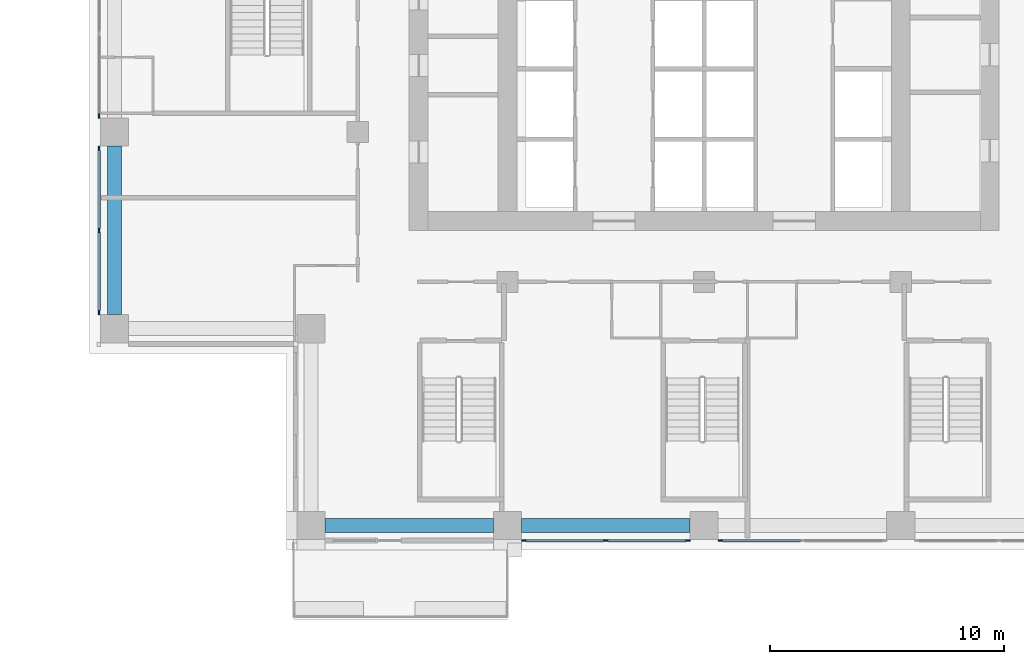
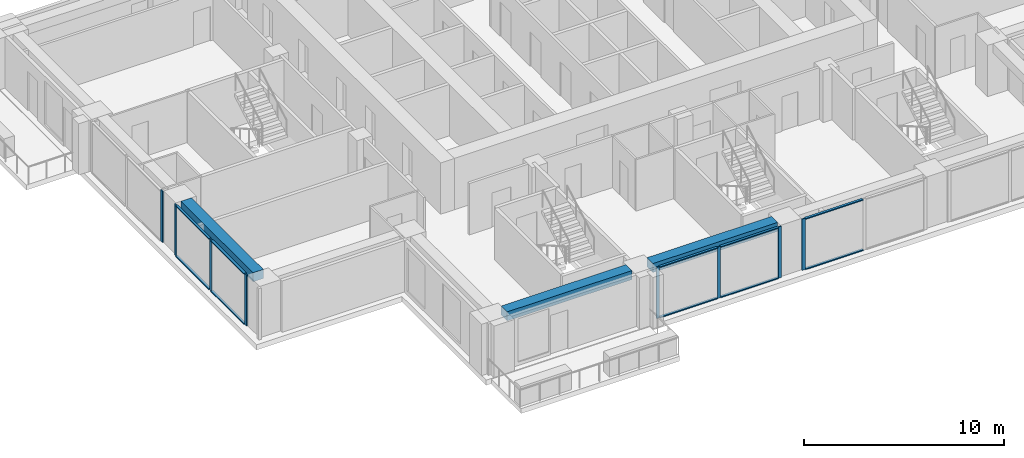
# One storey, part 2 of 17: 18 members, 3 beams, 4 elements without a shape of their own.
"""IFC4 building model written with IfcOpenShell, lengths in metres."""

from ifc_helpers import new_model, si_unit, direction, frame, origin, origin_2d, place, context, subcontext, project, spatial, rectangle, extrude, material, material_profile, profile_set, type_object, element, aggregate, save


model = new_model("IFC4")

# Units and contexts
model_context = context("Model", 3, precision=1e-05, world=origin(), true_north=direction((0.0, 1.0)))
body_context = subcontext(model_context, "Body", "Model", "MODEL_VIEW")
ifc_project = project(units=[si_unit("LENGTHUNIT", "METRE"), si_unit("AREAUNIT", "SQUARE_METRE"), si_unit("VOLUMEUNIT", "CUBIC_METRE"), si_unit("PLANEANGLEUNIT", "RADIAN"), si_unit("MASSUNIT", "GRAM", prefix="KILO")], contexts=[model_context])

# Site, building, storey
site_placement = place(None, origin())
site = spatial("IfcSite", under=ifc_project, at=site_placement, CompositionType="ELEMENT")
building_placement = place(site_placement, origin())
building = spatial("IfcBuilding", under=site, at=building_placement, Name="Vermilion Ogive Tower", CompositionType="ELEMENT")
storey_placement = place(building_placement, frame((0.0, 0.0, 87.300048828125)))
storey = spatial("IfcBuildingStorey", under=building, at=storey_placement, Name="L21", CompositionType="ELEMENT", Elevation=87.300048828125)

# Curtain wall, members
ifc_material_1 = material(Name="Low-iron laminated glazing in aluminium frame", Category="aluminium")
curtain_wall_type = type_object("IfcCurtainWallType", Name="Curtain wall CW7", PredefinedType="NOTDEFINED", material=ifc_material_1)
curtain_wall_1_placement = place(storey_placement, origin())
curtain_wall_1 = element("IfcCurtainWall", 1, at=curtain_wall_1_placement, inside=storey, type_object=curtain_wall_type, Name="Glazed skin S2", PredefinedType="NOTDEFINED")
ifc_material_2 = material(Name="Aluminium mullion", Category="aluminium")
ifc_material_profile_1 = material_profile(ifc_material_2, rectangle(XDim=0.06005859375, YDim=0.179931640625, at=origin_2d()), Name="AL 60x180")
ifc_profile_set_1 = profile_set([ifc_material_profile_1], Name="Aluminium mullion")
member_type_1 = type_object("IfcMemberType", Name="CW7 mullion 60x180", PredefinedType="MULLION", material=ifc_profile_set_1)
member_1_placement = place(storey_placement, frame((-7.7099609375, -21.64990234375, 0.0), z_axis=(0.0, 0.0, 1.0), x_axis=(0.0, 1.0, 0.0)))
member_1 = element("IfcMember", 2, at=member_1_placement, type_object=member_type_1, Name="CW7-S2 mullion 1", PredefinedType="MULLION", context=body_context, shape_type="SweptSolid", body=[
    extrude(rectangle(XDim=0.06005859375, YDim=0.179931640625, at=origin_2d()), origin(), (0.0, 0.0, 1.0), 3.1298828125),
])
member_2_placement = place(storey_placement, frame((-4.199951171875, -21.64990234375, 0.0), z_axis=(0.0, 0.0, 1.0), x_axis=(0.0, 1.0, 0.0)))
member_2 = element("IfcMember", 3, at=member_2_placement, type_object=member_type_1, Name="CW7-S2 mullion 2", PredefinedType="MULLION", context=body_context, shape_type="SweptSolid", body=[
    extrude(rectangle(XDim=0.06005859375, YDim=0.179931640625, at=origin_2d()), origin(), (0.0, 0.0, 1.0), 3.1298828125),
])
member_3_placement = place(storey_placement, frame((-0.68994140625, -21.64990234375, 0.0), z_axis=(0.0, 0.0, 1.0), x_axis=(0.0, 1.0, 0.0)))
member_3 = element("IfcMember", 4, at=member_3_placement, type_object=member_type_1, Name="CW7-S2 mullion 3", PredefinedType="MULLION", context=body_context, shape_type="SweptSolid", body=[
    extrude(rectangle(XDim=0.06005859375, YDim=0.179931640625, at=origin_2d()), origin(), (0.0, 0.0, 1.0), 3.1298828125),
])

# Curtain wall, member
curtain_wall_2_placement = place(storey_placement, origin())
curtain_wall_2 = element("IfcCurtainWall", 5, at=curtain_wall_2_placement, inside=storey, type_object=curtain_wall_type, Name="Glazed skin S3", PredefinedType="NOTDEFINED")
member_4_placement = place(storey_placement, frame((0.68994140625, -21.64990234375, 0.0), z_axis=(0.0, 0.0, 1.0), x_axis=(0.0, 1.0, 0.0)))
member_4 = element("IfcMember", 6, at=member_4_placement, type_object=member_type_1, Name="CW7-S3 mullion 1", PredefinedType="MULLION", context=body_context, shape_type="SweptSolid", body=[
    extrude(rectangle(XDim=0.06005859375, YDim=0.179931640625, at=origin_2d()), origin(), (0.0, 0.0, 1.0), 3.1298828125),
])

curtain_wall_3_placement = place(storey_placement, origin())
curtain_wall_3 = element("IfcCurtainWall", 7, at=curtain_wall_3_placement, inside=storey, type_object=curtain_wall_type, Name="Glazed skin W2", PredefinedType="NOTDEFINED")
member_5_placement = place(storey_placement, frame((-25.85009765625, -3.510009765625, 0.0), z_axis=(0.0, 0.0, 1.0), x_axis=(1.0, 0.0, 0.0)))
member_5 = element("IfcMember", 8, at=member_5_placement, type_object=member_type_1, Name="CW7-W2 mullion 3", PredefinedType="MULLION", context=body_context, shape_type="SweptSolid", body=[
    extrude(rectangle(XDim=0.06005859375, YDim=0.179931640625, at=origin_2d()), origin(), (0.0, 0.0, 1.0), 3.1298828125),
])
aggregate(curtain_wall_3, [member_5])

# Curtain wall, members
curtain_wall_4_placement = place(storey_placement, origin())
curtain_wall_4 = element("IfcCurtainWall", 9, at=curtain_wall_4_placement, inside=storey, type_object=curtain_wall_type, Name="Glazed skin W3", PredefinedType="NOTDEFINED")
member_6_placement = place(storey_placement, frame((-25.85009765625, -4.889892578125, 0.0), z_axis=(0.0, 0.0, 1.0), x_axis=(1.0, 0.0, 0.0)))
member_6 = element("IfcMember", 10, at=member_6_placement, type_object=member_type_1, Name="CW7-W3 mullion 1", PredefinedType="MULLION", context=body_context, shape_type="SweptSolid", body=[
    extrude(rectangle(XDim=0.06005859375, YDim=0.179931640625, at=origin_2d()), origin(), (0.0, 0.0, 1.0), 3.1298828125),
])
member_7_placement = place(storey_placement, frame((-25.85009765625, -8.39990234375, 0.0), z_axis=(0.0, 0.0, 1.0), x_axis=(1.0, 0.0, 0.0)))
member_7 = element("IfcMember", 11, at=member_7_placement, type_object=member_type_1, Name="CW7-W3 mullion 2", PredefinedType="MULLION", context=body_context, shape_type="SweptSolid", body=[
    extrude(rectangle(XDim=0.06005859375, YDim=0.179931640625, at=origin_2d()), origin(), (0.0, 0.0, 1.0), 3.1298828125),
])
member_8_placement = place(storey_placement, frame((-25.85009765625, -11.909912109375, 0.0), z_axis=(0.0, 0.0, 1.0), x_axis=(1.0, 0.0, 0.0)))
member_8 = element("IfcMember", 12, at=member_8_placement, type_object=member_type_1, Name="CW7-W3 mullion 3", PredefinedType="MULLION", context=body_context, shape_type="SweptSolid", body=[
    extrude(rectangle(XDim=0.06005859375, YDim=0.179931640625, at=origin_2d()), origin(), (0.0, 0.0, 1.0), 3.1298828125),
])

# Member
ifc_material_3 = material(Name="Aluminium transom", Category="aluminium")
ifc_material_profile_2 = material_profile(ifc_material_3, rectangle(XDim=0.139892578125, YDim=0.06005859375, at=origin_2d()), Name="AL 60x140")
ifc_profile_set_2 = profile_set([ifc_material_profile_2], Name="Aluminium transom")
member_type_2 = type_object("IfcMemberType", Name="CW7 transom 60x140", PredefinedType="USERDEFINED", material=ifc_profile_set_2)
member_9_placement = place(storey_placement, frame((-7.6201171875, -21.64990234375, 0.030029296875), z_axis=(1.0, 0.0, 0.0), x_axis=(0.0, 1.0, 0.0)))
member_9 = element("IfcMember", 13, at=member_9_placement, type_object=member_type_2, Name="CW7-S2 transom 1.1", ObjectType="TRANSOM", PredefinedType="USERDEFINED", context=body_context, shape_type="SweptSolid", body=[
    extrude(rectangle(XDim=0.139892578125, YDim=0.06005859375, at=origin_2d()), origin(), (0.0, 0.0, 1.0), 3.330078125),
])

member_10_placement = place(storey_placement, frame((-7.6201171875, -21.64990234375, 3.099853515625), z_axis=(1.0, 0.0, 0.0), x_axis=(0.0, 1.0, 0.0)))
member_10 = element("IfcMember", 14, at=member_10_placement, type_object=member_type_2, Name="CW7-S2 transom 1.2", ObjectType="TRANSOM", PredefinedType="USERDEFINED", context=body_context, shape_type="SweptSolid", body=[
    extrude(rectangle(XDim=0.139892578125, YDim=0.06005859375, at=origin_2d()), origin(), (0.0, 0.0, 1.0), 3.330078125),
])

member_11_placement = place(storey_placement, frame((-4.110107421875, -21.64990234375, 0.030029296875), z_axis=(1.0, 0.0, 0.0), x_axis=(0.0, 1.0, 0.0)))
member_11 = element("IfcMember", 15, at=member_11_placement, type_object=member_type_2, Name="CW7-S2 transom 2.1", ObjectType="TRANSOM", PredefinedType="USERDEFINED", context=body_context, shape_type="SweptSolid", body=[
    extrude(rectangle(XDim=0.139892578125, YDim=0.06005859375, at=origin_2d()), origin(), (0.0, 0.0, 1.0), 3.330078125),
])

member_12_placement = place(storey_placement, frame((-4.110107421875, -21.64990234375, 3.099853515625), z_axis=(1.0, 0.0, 0.0), x_axis=(0.0, 1.0, 0.0)))
member_12 = element("IfcMember", 16, at=member_12_placement, type_object=member_type_2, Name="CW7-S2 transom 2.2", ObjectType="TRANSOM", PredefinedType="USERDEFINED", context=body_context, shape_type="SweptSolid", body=[
    extrude(rectangle(XDim=0.139892578125, YDim=0.06005859375, at=origin_2d()), origin(), (0.0, 0.0, 1.0), 3.330078125),
])

aggregate(curtain_wall_1, [member_1, member_2, member_3, member_9, member_10, member_11, member_12])

member_13_placement = place(storey_placement, frame((0.780029296875, -21.64990234375, 0.030029296875), z_axis=(1.0, 0.0, 0.0), x_axis=(0.0, 1.0, 0.0)))
member_13 = element("IfcMember", 17, at=member_13_placement, type_object=member_type_2, Name="CW7-S3 transom 1.1", ObjectType="TRANSOM", PredefinedType="USERDEFINED", context=body_context, shape_type="SweptSolid", body=[
    extrude(rectangle(XDim=0.139892578125, YDim=0.06005859375, at=origin_2d()), origin(), (0.0, 0.0, 1.0), 3.330078125),
])

member_14_placement = place(storey_placement, frame((0.780029296875, -21.64990234375, 3.099853515625), z_axis=(1.0, 0.0, 0.0), x_axis=(0.0, 1.0, 0.0)))
member_14 = element("IfcMember", 18, at=member_14_placement, type_object=member_type_2, Name="CW7-S3 transom 1.2", ObjectType="TRANSOM", PredefinedType="USERDEFINED", context=body_context, shape_type="SweptSolid", body=[
    extrude(rectangle(XDim=0.139892578125, YDim=0.06005859375, at=origin_2d()), origin(), (0.0, 0.0, 1.0), 3.330078125),
])

aggregate(curtain_wall_2, [member_4, member_13, member_14])

member_15_placement = place(storey_placement, frame((-25.85009765625, -4.97998046875, 0.030029296875), z_axis=(0.0, -1.0, 0.0), x_axis=(1.0, 0.0, 0.0)))
member_15 = element("IfcMember", 19, at=member_15_placement, type_object=member_type_2, Name="CW7-W3 transom 1.1", ObjectType="TRANSOM", PredefinedType="USERDEFINED", context=body_context, shape_type="SweptSolid", body=[
    extrude(rectangle(XDim=0.139892578125, YDim=0.06005859375, at=origin_2d()), origin(), (0.0, 0.0, 1.0), 3.330078125),
])

member_16_placement = place(storey_placement, frame((-25.85009765625, -4.97998046875, 3.099853515625), z_axis=(0.0, -1.0, 0.0), x_axis=(1.0, 0.0, 0.0)))
member_16 = element("IfcMember", 20, at=member_16_placement, type_object=member_type_2, Name="CW7-W3 transom 1.2", ObjectType="TRANSOM", PredefinedType="USERDEFINED", context=body_context, shape_type="SweptSolid", body=[
    extrude(rectangle(XDim=0.139892578125, YDim=0.06005859375, at=origin_2d()), origin(), (0.0, 0.0, 1.0), 3.330078125),
])

member_17_placement = place(storey_placement, frame((-25.85009765625, -8.489990234375, 0.030029296875), z_axis=(0.0, -1.0, 0.0), x_axis=(1.0, 0.0, 0.0)))
member_17 = element("IfcMember", 21, at=member_17_placement, type_object=member_type_2, Name="CW7-W3 transom 2.1", ObjectType="TRANSOM", PredefinedType="USERDEFINED", context=body_context, shape_type="SweptSolid", body=[
    extrude(rectangle(XDim=0.139892578125, YDim=0.06005859375, at=origin_2d()), origin(), (0.0, 0.0, 1.0), 3.330078125),
])

member_18_placement = place(storey_placement, frame((-25.85009765625, -8.489990234375, 3.099853515625), z_axis=(0.0, -1.0, 0.0), x_axis=(1.0, 0.0, 0.0)))
member_18 = element("IfcMember", 22, at=member_18_placement, type_object=member_type_2, Name="CW7-W3 transom 2.2", ObjectType="TRANSOM", PredefinedType="USERDEFINED", context=body_context, shape_type="SweptSolid", body=[
    extrude(rectangle(XDim=0.139892578125, YDim=0.06005859375, at=origin_2d()), origin(), (0.0, 0.0, 1.0), 3.330078125),
])

aggregate(curtain_wall_4, [member_6, member_7, member_8, member_15, member_16, member_17, member_18])

# Beams
ifc_material_4 = material(Name="Concrete B45", Category="concrete")
ifc_material_profile_3 = material_profile(ifc_material_4, rectangle(XDim=0.60009765625, YDim=0.550048828125, at=origin_2d()), Name="600 x 550")
ifc_profile_set_3 = profile_set([ifc_material_profile_3], Name="Concrete B45")
beam_type = type_object("IfcBeamType", Name="Edge beam 600 x 550 B45", PredefinedType="BEAM", material=ifc_profile_set_3)
for number, where, z_axis, x_axis, name in (
    (23, (-16.199951171875, -21.0, 2.85498046875), (1.0, 0.0, 0.0), (0.0, 1.0, 0.0), "L21-EB-1"),
    (24, (-7.800048828125, -21.0, 2.85498046875), (1.0, 0.0, 0.0), (0.0, 1.0, 0.0), "L21-EB-2"),
    (25, (-25.199951171875, -4.800048828125, 2.85498046875), (0.0, -1.0, 0.0), (1.0, 0.0, 0.0), "L21-EB-16"),
):
    element("IfcBeam", number, at=place(storey_placement, frame(where, z_axis=z_axis, x_axis=x_axis)), inside=storey, type_object=beam_type, Name=name, PredefinedType="BEAM", context=body_context, shape_type="SweptSolid", body=[
        extrude(rectangle(XDim=0.60009765625, YDim=0.550048828125, at=origin_2d()), origin(), (0.0, 0.0, 1.0), 7.199951171875),
    ])

save(model, "model.ifc")
